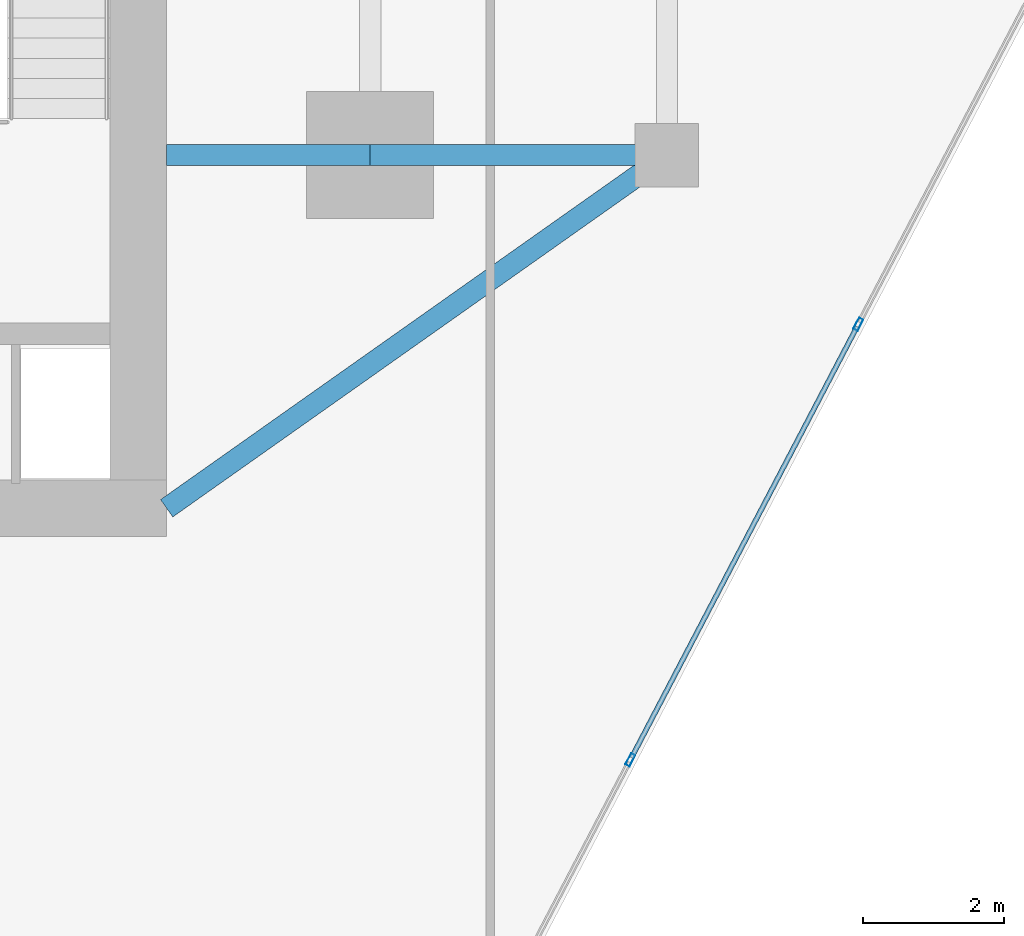
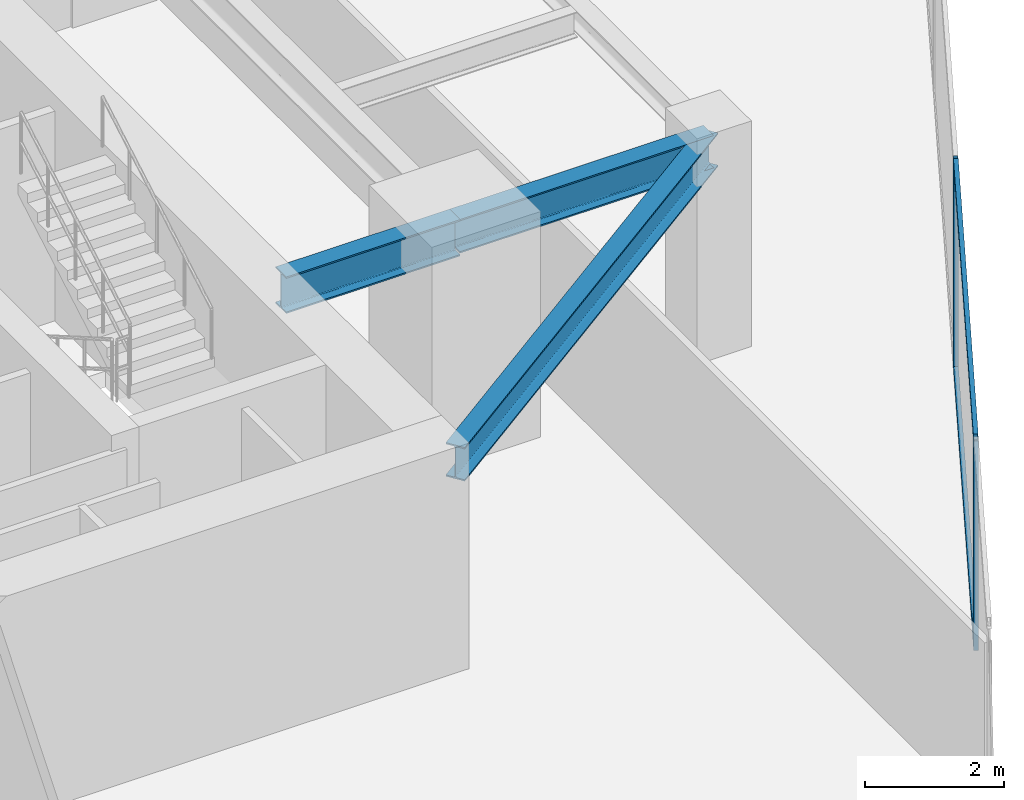
# One storey, part 10 of 27: 4 members, 3 beams, 1 element without a shape of its own.
"""IFC4 building model written with IfcOpenShell, lengths in metres."""

from ifc_helpers import new_model, si_unit, direction, frame, origin, origin_2d, place, context, subcontext, project, spatial, hollow_rectangle, i_section, extrude, source, transform, mapped, material, material_profile, profile_set, type_object, type_shapes, element, aggregate, save


model = new_model("IFC4")

# Units and contexts
model_context = context("Model", 3, precision=1e-05, world=origin(), true_north=direction((0.0, 1.0)))
body_context = subcontext(model_context, "Body", "Model", "MODEL_VIEW")
ifc_project = project(units=[si_unit("LENGTHUNIT", "METRE"), si_unit("AREAUNIT", "SQUARE_METRE"), si_unit("VOLUMEUNIT", "CUBIC_METRE"), si_unit("PLANEANGLEUNIT", "RADIAN"), si_unit("MASSUNIT", "GRAM", prefix="KILO")], contexts=[model_context])

# Site, building, storey
site_placement = place(None, origin())
site = spatial("IfcSite", under=ifc_project, at=site_placement, CompositionType="ELEMENT")
building_placement = place(site_placement, origin())
building = spatial("IfcBuilding", under=site, at=building_placement, Name="Krantzveldt Concourse Tower", CompositionType="ELEMENT")
storey_placement = place(building_placement, frame((0.0, 0.0, 158.050048828125)))
storey = spatial("IfcBuildingStorey", under=building, at=storey_placement, Name="L38", CompositionType="ELEMENT", Elevation=158.050048828125)

# Beams
ifc_material_1 = material(Name="Steel S355JR", Category="steel")
ifc_material_profile_1 = material_profile(ifc_material_1, i_section(OverallWidth=0.300048828125, OverallDepth=0.590087890625, WebThickness=0.012939453125, FlangeThickness=0.02490234375, FilletRadius=0.027099609375, at=origin_2d()), Name="Steel S355JR", Category="steel")
ifc_profile_set_1 = profile_set([ifc_material_profile_1], Name="Steel S355JR - HEA 600")
beam_type_1 = type_object("IfcBeamType", Name="BM-B-HEA600", PredefinedType="BEAM", material=ifc_profile_set_1)
shared_shape_1 = source(origin(), body_context, "Body", "SweptSolid", [
    extrude(i_section(OverallWidth=0.300048828125, OverallDepth=0.590087890625, WebThickness=0.012939453125, FlangeThickness=0.02490234375, FilletRadius=0.027099609375, at=origin_2d()), origin(), (0.0, 0.0, 1.0), 4.199951171875),
])
beam_1_placement = place(storey_placement, frame((46.800048828125, 15.89990234375, 3.375), z_axis=(1.0, 0.0, 0.0), x_axis=(0.0, 1.0, 0.0)))
element("IfcBeam", 1, at=beam_1_placement, inside=storey, type_object=beam_type_1, Name="L38 Tower Girder BR-RR1", PredefinedType="BEAM", context=body_context, shape_type="MappedRepresentation", body=[
    mapped(shared_shape_1, transform((0.0, 0.0, 0.0), x_axis=(1.0, 0.0, 0.0), y_axis=(0.0, 1.0, 0.0), z_axis=(0.0, 0.0, 1.0), scale=1.0)),
])
shared_shape_2 = source(origin(), body_context, "Body", "SweptSolid", [
    extrude(i_section(OverallWidth=0.300048828125, OverallDepth=0.590087890625, WebThickness=0.012939453125, FlangeThickness=0.02490234375, FilletRadius=0.027099609375, at=origin_2d()), origin(), (0.0, 0.0, 1.0), 8.667724609375),
])
type_shapes(beam_type_1, [shared_shape_1, shared_shape_2])
beam_2_placement = place(storey_placement, frame((51.0, 15.89990234375, 3.375), z_axis=(-0.81684294656, -0.576860122261, 0.0), x_axis=(0.576860122261, -0.81684294656, 0.0)))
element("IfcBeam", 2, at=beam_2_placement, inside=storey, type_object=beam_type_1, Name="L38 Tower Girder BR-CSE", PredefinedType="BEAM", context=body_context, shape_type="MappedRepresentation", body=[
    mapped(shared_shape_2, transform((0.0, 0.0, 0.0), x_axis=(1.0, 0.0, 0.0), y_axis=(0.0, 1.0, 0.0), z_axis=(0.0, 0.0, 1.0), scale=1.0)),
])
ifc_material_profile_2 = material_profile(ifc_material_1, i_section(OverallWidth=0.300048828125, OverallDepth=0.639892578125, WebThickness=0.013427734375, FlangeThickness=0.02587890625, FilletRadius=0.027099609375, at=origin_2d()), Name="Steel S355JR", Category="steel")
ifc_profile_set_2 = profile_set([ifc_material_profile_2], Name="Steel S355JR - HEA 650")
beam_type_2 = type_object("IfcBeamType", Name="BM-B-HEA650", PredefinedType="BEAM", material=ifc_profile_set_2)
shared_shape_3 = source(origin(), body_context, "Body", "SweptSolid", [
    extrude(i_section(OverallWidth=0.300048828125, OverallDepth=0.639892578125, WebThickness=0.013427734375, FlangeThickness=0.02587890625, FilletRadius=0.027099609375, at=origin_2d()), origin(), (0.0, 0.0, 1.0), 2.880126953125),
])
type_shapes(beam_type_2, [shared_shape_3])
beam_3_placement = place(storey_placement, frame((43.919921875, 15.89990234375, 3.349853515625), z_axis=(1.0, 0.0, 0.0), x_axis=(0.0, 1.0, 0.0)))
element("IfcBeam", 3, at=beam_3_placement, inside=storey, type_object=beam_type_2, Name="L38 Tower Girder BG-CE1", PredefinedType="BEAM", context=body_context, shape_type="MappedRepresentation", body=[
    mapped(shared_shape_3, transform((0.0, 0.0, 0.0), x_axis=(1.0, 0.0, 0.0), y_axis=(0.0, 1.0, 0.0), z_axis=(0.0, 0.0, 1.0), scale=1.0)),
])

# Curtain wall, members
ifc_material_2 = material(Name="Anodised aluminium 6063-T6", Category="aluminium")
curtain_wall_type = type_object("IfcCurtainWallType", Name="CW3", PredefinedType="USERDEFINED", material=ifc_material_2)
curtain_wall_placement = place(storey_placement, origin())
curtain_wall = element("IfcCurtainWall", 4, at=curtain_wall_placement, inside=storey, type_object=curtain_wall_type, Name="CW-L38-F07", ObjectType="UNITISED CURTAIN WALL", PredefinedType="USERDEFINED")
ifc_material_profile_3 = material_profile(ifc_material_2, hollow_rectangle(XDim=0.070068359375, YDim=0.179931640625, WallThickness=0.0048828125, at=origin_2d()), Name="Anodised aluminium 6063-T6", Category="aluminium")
ifc_profile_set_3 = profile_set([ifc_material_profile_3], Name="Anodised aluminium 6063-T6 - ALU-MULL 180x70x5")
member_type_1 = type_object("IfcMemberType", Name="CW-MUL-180", PredefinedType="MULLION", material=ifc_profile_set_3)
shared_shape_4 = source(origin(), body_context, "Body", "SweptSolid", [
    extrude(hollow_rectangle(XDim=0.070068359375, YDim=0.179931640625, WallThickness=0.0048828125, at=origin_2d()), origin(), (0.0, 0.0, 1.0), 3.669921875),
])
type_shapes(member_type_1, [shared_shape_4])
member_1_placement = place(storey_placement, frame((50.48291015625, 7.337158203125, 0.0), z_axis=(0.0, 0.0, 1.0), x_axis=(-0.886001265743, 0.463682819502, 0.0)))
member_1 = element("IfcMember", 5, at=member_1_placement, type_object=member_type_1, Name="CW-Z34 mullion 2", PredefinedType="MULLION", context=body_context, shape_type="MappedRepresentation", body=[
    mapped(shared_shape_4, transform((0.0, 0.0, 0.0), x_axis=(1.0, 0.0, 0.0), y_axis=(0.0, 1.0, 0.0), z_axis=(0.0, 0.0, 1.0), scale=1.0)),
])
member_2_placement = place(storey_placement, frame((53.7099609375, 13.50390625, 0.0), z_axis=(0.0, 0.0, 1.0), x_axis=(-0.886001265743, 0.463682819502, 0.0)))
member_2 = element("IfcMember", 6, at=member_2_placement, type_object=member_type_1, Name="CW-Z34 mullion 3", PredefinedType="MULLION", context=body_context, shape_type="MappedRepresentation", body=[
    mapped(shared_shape_4, transform((0.0, 0.0, 0.0), x_axis=(1.0, 0.0, 0.0), y_axis=(0.0, 1.0, 0.0), z_axis=(0.0, 0.0, 1.0), scale=1.0)),
])
ifc_material_profile_4 = material_profile(ifc_material_2, hollow_rectangle(XDim=0.070068359375, YDim=0.139892578125, WallThickness=0.0048828125, at=origin_2d()), Name="Anodised aluminium 6063-T6", Category="aluminium")
ifc_profile_set_4 = profile_set([ifc_material_profile_4], Name="Anodised aluminium 6063-T6 - ALU-TRAN 140x70x5")
member_type_2 = type_object("IfcMemberType", Name="CW-TRN-150", PredefinedType="USERDEFINED", material=ifc_profile_set_4)
shared_shape_5 = source(origin(), body_context, "Body", "SweptSolid", [
    extrude(hollow_rectangle(XDim=0.070068359375, YDim=0.139892578125, WallThickness=0.0048828125, at=origin_2d()), origin(), (0.0, 0.0, 1.0), 6.89013671875),
])
type_shapes(member_type_2, [shared_shape_5])
member_3_placement = place(storey_placement, frame((50.4990234375, 7.3681640625, 0.034912109375), z_axis=(0.463677283577, 0.88600416291, 0.0), x_axis=(-0.88600416291, 0.463677283577, 0.0)))
member_3 = element("IfcMember", 7, at=member_3_placement, type_object=member_type_2, Name="CW-Z34 transom 2.1", ObjectType="TRANSOM", PredefinedType="USERDEFINED", context=body_context, shape_type="MappedRepresentation", body=[
    mapped(shared_shape_5, transform((0.0, 0.0, 0.0), x_axis=(1.0, 0.0, 0.0), y_axis=(0.0, 1.0, 0.0), z_axis=(0.0, 0.0, 1.0), scale=1.0)),
])
member_4_placement = place(storey_placement, frame((50.4990234375, 7.3681640625, 3.635009765625), z_axis=(0.463677283577, 0.88600416291, 0.0), x_axis=(-0.88600416291, 0.463677283577, 0.0)))
member_4 = element("IfcMember", 8, at=member_4_placement, type_object=member_type_2, Name="CW-Z34 transom 2.2", ObjectType="TRANSOM", PredefinedType="USERDEFINED", context=body_context, shape_type="MappedRepresentation", body=[
    mapped(shared_shape_5, transform((0.0, 0.0, 0.0), x_axis=(1.0, 0.0, 0.0), y_axis=(0.0, 1.0, 0.0), z_axis=(0.0, 0.0, 1.0), scale=1.0)),
])
aggregate(curtain_wall, [member_1, member_2, member_3, member_4])

save(model, "model.ifc")
